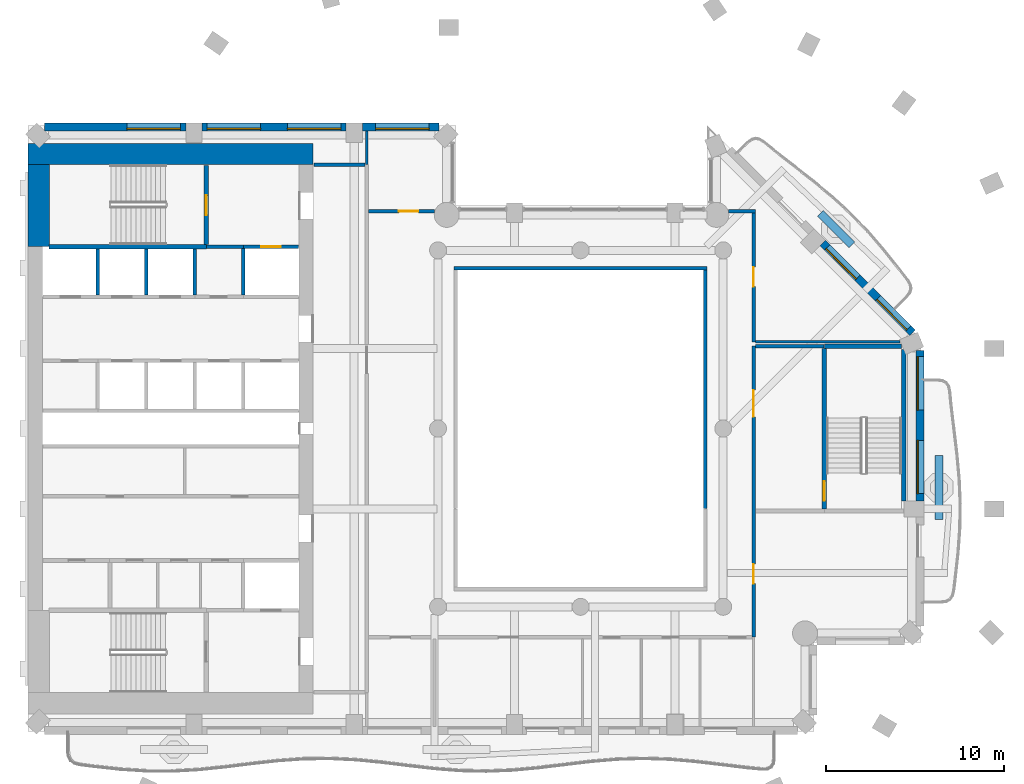
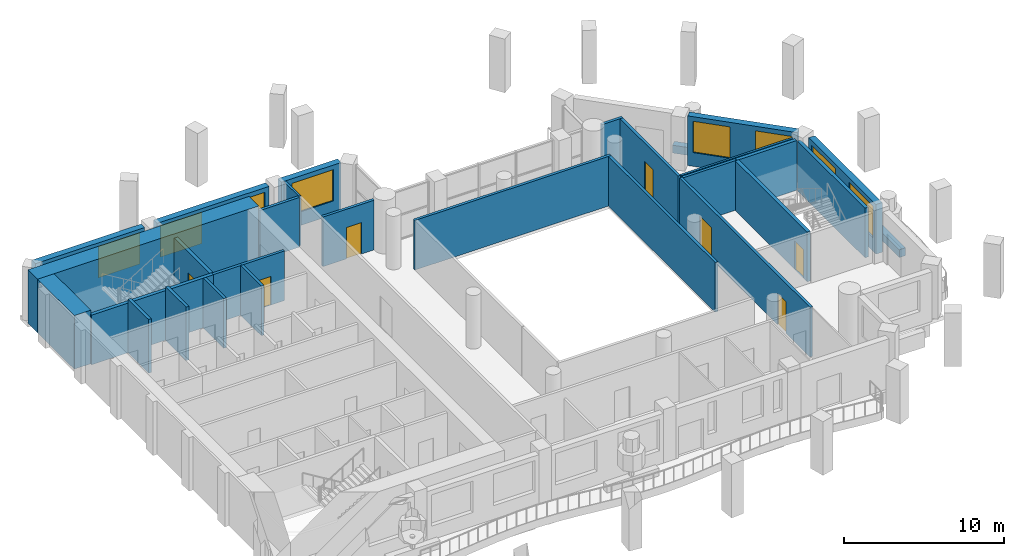
# One storey, part 6 of 15: 30 walls, 8 windows, 7 doors, 15 openings.
"""IFC4 building model written with IfcOpenShell, lengths in metres."""

from ifc_helpers import new_model, si_unit, direction, frame, frame_2d, origin, place, context, subcontext, project, spatial, rectangle, extrude, material, layer, layer_set, type_object, element, fill, save


model = new_model("IFC4")

# Units and contexts
model_context = context("Model", 3, precision=1e-05, world=origin(), true_north=direction((0.0, 1.0)))
body_context = subcontext(model_context, "Body", "Model", "MODEL_VIEW")
ifc_project = project(units=[si_unit("LENGTHUNIT", "METRE"), si_unit("AREAUNIT", "SQUARE_METRE"), si_unit("VOLUMEUNIT", "CUBIC_METRE"), si_unit("PLANEANGLEUNIT", "RADIAN"), si_unit("MASSUNIT", "GRAM", prefix="KILO")], contexts=[model_context])

# Site, building, storey
site_placement = place(None, origin())
site = spatial("IfcSite", under=ifc_project, at=site_placement, CompositionType="ELEMENT")
building_placement = place(site_placement, origin())
building = spatial("IfcBuilding", under=site, at=building_placement, Name="Cypress Arch Tower", CompositionType="ELEMENT")
storey_placement = place(building_placement, frame((0.0, 0.0, 213.800048828125)))
storey = spatial("IfcBuildingStorey", under=building, at=storey_placement, Name="L47", CompositionType="ELEMENT", Elevation=213.800048828125)

# Walls
ifc_material_1 = material(Name="Concrete C40/50, waterproofed", Category="concrete")
ifc_layer_1 = layer(ifc_material_1, 0.449951171875)
ifc_layer_set_1 = layer_set([ifc_layer_1], Name="Balcony planter wall PW450")
wall_type_1 = type_object("IfcWallType", Name="Balcony planter wall PW450", PredefinedType="SOLIDWALL", material=ifc_layer_set_1)
wall_1_placement = place(storey_placement, frame((21.10009765625, -5.10009765625, 0.0), z_axis=(0.0, 0.0, 1.0), x_axis=(0.0, 1.0, 0.0)))
element("IfcWall", 1, at=wall_1_placement, inside=storey, type_object=wall_type_1, Name="Balcony planter wall L47-B04.1", PredefinedType="SOLIDWALL", context=body_context, shape_type="SweptSolid", body=[
    extrude(rectangle(XDim=3.58349609375, YDim=0.449951171875, at=frame_2d((1.791748046875, 0.0))), origin(), (0.0, 0.0, 1.0), 0.599853515625),
])
wall_2_placement = place(storey_placement, frame((16.2060546875, 10.30810546875, 0.0), z_axis=(0.0, 0.0, 1.0), x_axis=(-0.707057827829, 0.707155731156, 0.0)))
element("IfcWall", 2, at=wall_2_placement, inside=storey, type_object=wall_type_1, Name="Balcony planter wall L47-B05.1", PredefinedType="SOLIDWALL", context=body_context, shape_type="SweptSolid", body=[
    extrude(rectangle(XDim=2.49365234375, YDim=0.449951171875, at=frame_2d((1.246826171875, 0.0))), origin(), (0.0, 0.0, 1.0), 0.599853515625),
])

# Wall, openings, windows
ifc_material_2 = material(Name="Brick (red buff blend)", Category="masonry")
ifc_layer_2 = layer(ifc_material_2, 0.449951171875)
ifc_layer_set_2 = layer_set([ifc_layer_2], Name="Brick pier and spandrel wall BW450")
wall_type_2 = type_object("IfcWallType", Name="Brick pier and spandrel wall BW450", PredefinedType="SOLIDWALL", material=ifc_layer_set_2)
wall_3_placement = place(storey_placement, frame((20.02490234375, -4.050048828125, 0.0), z_axis=(0.0, 0.0, 1.0), x_axis=(0.0, 1.0, 0.0)))
wall_3 = element("IfcWall", 3, at=wall_3_placement, inside=storey, type_object=wall_type_2, Name="Brick wall L47 B04.1", PredefinedType="SOLIDWALL", context=body_context, shape_type="SweptSolid", body=[
    extrude(rectangle(XDim=8.438720703125, YDim=0.449951171875, at=frame_2d((4.21923828125, 0.0))), origin(), (0.0, 0.0, 1.0), 3.800048828125),
])
opening_1_placement = place(wall_3_placement, frame((0.39404296875, 0.0, 1.050048828125)))
opening_1 = element("IfcOpeningElement", 4, at=opening_1_placement, cuts=wall_3, Name="Opening W300OD", PredefinedType="OPENING", context=body_context, shape_type="SweptSolid", body=[
    extrude(rectangle(XDim=3.0, YDim=2.39990234375, at=frame_2d((1.5, 1.199951171875))), frame((0.0, 0.23486328125, 0.0), z_axis=(0.0, -1.0, 0.0), x_axis=(1.0, 0.0, 0.0)), (0.0, 0.0, 1.0), 0.469970703125),
])
opening_2_placement = place(wall_3_placement, frame((5.081787109375, 0.0, 1.050048828125)))
opening_2 = element("IfcOpeningElement", 5, at=opening_2_placement, cuts=wall_3, Name="Opening W300OD", PredefinedType="OPENING", context=body_context, shape_type="SweptSolid", body=[
    extrude(rectangle(XDim=3.0, YDim=2.39990234375, at=frame_2d((1.5, 1.199951171875))), frame((0.0, 0.23486328125, 0.0), z_axis=(0.0, -1.0, 0.0), x_axis=(1.0, 0.0, 0.0)), (0.0, 0.0, 1.0), 0.469970703125),
])
ifc_material_3 = material(Name="Anodised aluminium, bronze finish, laminated low-emissivity double glazing, large-missile impact rated", Category="aluminium")
window_type_1 = type_object("IfcWindowType", Name="Window Office 3000x2400 debris-rated", PartitioningType="SINGLE_PANEL", PredefinedType="WINDOW", material=ifc_material_3)
window_1_placement = place(opening_1_placement, origin())
window_1 = element("IfcWindow", 6, at=window_1_placement, inside=storey, type_object=window_type_1, Name="Window L47 B04.1.1", OverallHeight=2.39990234375, OverallWidth=3.0, PartitioningType="SINGLE_PANEL", PredefinedType="WINDOW", context=body_context, shape_type="SweptSolid", body=[
    extrude(rectangle(XDim=3.0, YDim=2.39990234375, at=frame_2d((1.5, 1.199951171875))), frame((0.0, 0.135009765625, 0.0), z_axis=(0.0, -1.0, 0.0), x_axis=(1.0, 0.0, 0.0)), (0.0, 0.0, 1.0), 0.06005859375),
])
fill(opening_1, window_1)
window_2_placement = place(opening_2_placement, origin())
window_2 = element("IfcWindow", 7, at=window_2_placement, inside=storey, type_object=window_type_1, Name="Window L47 B04.1.2", OverallHeight=2.39990234375, OverallWidth=3.0, PartitioningType="SINGLE_PANEL", PredefinedType="WINDOW", context=body_context, shape_type="SweptSolid", body=[
    extrude(rectangle(XDim=3.0, YDim=2.39990234375, at=frame_2d((1.5, 1.199951171875))), frame((0.0, 0.135009765625, 0.0), z_axis=(0.0, -1.0, 0.0), x_axis=(1.0, 0.0, 0.0)), (0.0, 0.0, 1.0), 0.06005859375),
])
fill(opening_2, window_2)

wall_4_placement = place(storey_placement, frame((19.61474609375, 5.379150390625, 0.0), z_axis=(0.0, 0.0, 1.0), x_axis=(-0.707089646058, 0.7071239159, 0.0)))
wall_4 = element("IfcWall", 8, at=wall_4_placement, inside=storey, type_object=wall_type_2, Name="Brick wall L47 B05.0", PredefinedType="SOLIDWALL", context=body_context, shape_type="SweptSolid", body=[
    extrude(rectangle(XDim=7.1240234375, YDim=0.449951171875, at=frame_2d((3.56201171875, 0.0))), origin(), (0.0, 0.0, 1.0), 3.800048828125),
])
opening_3_placement = place(wall_4_placement, frame((0.328125, 0.0, 1.050048828125)))
opening_3 = element("IfcOpeningElement", 9, at=opening_3_placement, cuts=wall_4, Name="Opening W240OD", PredefinedType="OPENING", context=body_context, shape_type="SweptSolid", body=[
    extrude(rectangle(XDim=2.39990234375, YDim=2.39990234375, at=frame_2d((1.199951171875, 1.199951171875))), frame((0.0, 0.23486328125, 0.0), z_axis=(0.0, -1.0, 0.0), x_axis=(1.0, 0.0, 0.0)), (0.0, 0.0, 1.0), 0.469970703125),
])
opening_4_placement = place(wall_4_placement, frame((4.358642578125, 0.0, 1.050048828125)))
opening_4 = element("IfcOpeningElement", 10, at=opening_4_placement, cuts=wall_4, Name="Opening W240OD", PredefinedType="OPENING", context=body_context, shape_type="SweptSolid", body=[
    extrude(rectangle(XDim=2.39990234375, YDim=2.39990234375, at=frame_2d((1.199951171875, 1.199951171875))), frame((0.0, 0.23486328125, 0.0), z_axis=(0.0, -1.0, 0.0), x_axis=(1.0, 0.0, 0.0)), (0.0, 0.0, 1.0), 0.469970703125),
])
ifc_material_4 = material(Name="Anodised aluminium, bronze finish, laminated low-emissivity double glazing, large-missile impact rated", Category="aluminium")
window_type_2 = type_object("IfcWindowType", Name="Window Office 2400x2400 debris-rated", PartitioningType="SINGLE_PANEL", PredefinedType="WINDOW", material=ifc_material_4)
window_3_placement = place(opening_3_placement, origin())
window_3 = element("IfcWindow", 11, at=window_3_placement, inside=storey, type_object=window_type_2, Name="Window L47 B05.0.1", OverallHeight=2.39990234375, OverallWidth=2.39990234375, PartitioningType="SINGLE_PANEL", PredefinedType="WINDOW", context=body_context, shape_type="SweptSolid", body=[
    extrude(rectangle(XDim=2.39990234375, YDim=2.39990234375, at=frame_2d((1.199951171875, 1.199951171875))), frame((0.0, 0.135009765625, 0.0), z_axis=(0.0, -1.0, 0.0), x_axis=(1.0, 0.0, 0.0)), (0.0, 0.0, 1.0), 0.06005859375),
])
fill(opening_3, window_3)
window_4_placement = place(opening_4_placement, origin())
window_4 = element("IfcWindow", 12, at=window_4_placement, inside=storey, type_object=window_type_2, Name="Window L47 B05.0.2", OverallHeight=2.39990234375, OverallWidth=2.39990234375, PartitioningType="SINGLE_PANEL", PredefinedType="WINDOW", context=body_context, shape_type="SweptSolid", body=[
    extrude(rectangle(XDim=2.39990234375, YDim=2.39990234375, at=frame_2d((1.199951171875, 1.199951171875))), frame((0.0, 0.135009765625, 0.0), z_axis=(0.0, -1.0, 0.0), x_axis=(1.0, 0.0, 0.0)), (0.0, 0.0, 1.0), 0.06005859375),
])
fill(opening_4, window_4)

# Wall, opening, window
wall_5_placement = place(storey_placement, frame((-6.936279296875, 16.925048828125, 0.0), z_axis=(0.0, 0.0, 1.0), x_axis=(-1.0, 0.0, 0.0)))
wall_5 = element("IfcWall", 13, at=wall_5_placement, inside=storey, type_object=wall_type_2, Name="Brick wall L47 B09.0", PredefinedType="SOLIDWALL", context=body_context, shape_type="SweptSolid", body=[
    extrude(rectangle(XDim=4.313720703125, YDim=0.449951171875, at=frame_2d((2.15673828125, 0.0))), origin(), (0.0, 0.0, 1.0), 3.800048828125),
])
opening_5_placement = place(wall_5_placement, frame((0.563720703125, 0.0, 1.050048828125)))
opening_5 = element("IfcOpeningElement", 14, at=opening_5_placement, cuts=wall_5, Name="Opening W300O", PredefinedType="OPENING", context=body_context, shape_type="SweptSolid", body=[
    extrude(rectangle(XDim=3.0, YDim=2.39990234375, at=frame_2d((1.5, 1.199951171875))), frame((0.0, 0.23486328125, 0.0), z_axis=(0.0, -1.0, 0.0), x_axis=(1.0, 0.0, 0.0)), (0.0, 0.0, 1.0), 0.469970703125),
])
ifc_material_5 = material(Name="Anodised aluminium, bronze finish, clear low-emissivity double glazing", Category="aluminium")
window_type_3 = type_object("IfcWindowType", Name="Window Office 3000x2400", PartitioningType="SINGLE_PANEL", PredefinedType="WINDOW", material=ifc_material_5)
window_5_placement = place(opening_5_placement, origin())
window_5 = element("IfcWindow", 15, at=window_5_placement, inside=storey, type_object=window_type_3, Name="Window L47 B09.0.1", OverallHeight=2.39990234375, OverallWidth=3.0, PartitioningType="SINGLE_PANEL", PredefinedType="WINDOW", context=body_context, shape_type="SweptSolid", body=[
    extrude(rectangle(XDim=3.0, YDim=2.39990234375, at=frame_2d((1.5, 1.199951171875))), frame((0.0, 0.135009765625, 0.0), z_axis=(0.0, -1.0, 0.0), x_axis=(1.0, 0.0, 0.0)), (0.0, 0.0, 1.0), 0.06005859375),
])
fill(opening_5, window_5)

# Wall, openings, windows
wall_6_placement = place(storey_placement, frame((-12.14990234375, 16.925048828125, 0.0), z_axis=(0.0, 0.0, 1.0), x_axis=(-1.0, 0.0, 0.0)))
wall_6 = element("IfcWall", 16, at=wall_6_placement, inside=storey, type_object=wall_type_2, Name="Brick wall L47 B09.1", PredefinedType="SOLIDWALL", context=body_context, shape_type="SweptSolid", body=[
    extrude(rectangle(XDim=8.10009765625, YDim=0.449951171875, at=frame_2d((4.050048828125, 0.0))), origin(), (0.0, 0.0, 1.0), 3.800048828125),
])
opening_6_placement = place(wall_6_placement, frame((0.300048828125, 0.0, 1.050048828125)))
opening_6 = element("IfcOpeningElement", 17, at=opening_6_placement, cuts=wall_6, Name="Opening W300O", PredefinedType="OPENING", context=body_context, shape_type="SweptSolid", body=[
    extrude(rectangle(XDim=3.0, YDim=2.39990234375, at=frame_2d((1.5, 1.199951171875))), frame((0.0, 0.23486328125, 0.0), z_axis=(0.0, -1.0, 0.0), x_axis=(1.0, 0.0, 0.0)), (0.0, 0.0, 1.0), 0.469970703125),
])
opening_7_placement = place(wall_6_placement, frame((4.800048828125, 0.0, 1.050048828125)))
opening_7 = element("IfcOpeningElement", 18, at=opening_7_placement, cuts=wall_6, Name="Opening W300O", PredefinedType="OPENING", context=body_context, shape_type="SweptSolid", body=[
    extrude(rectangle(XDim=3.0, YDim=2.39990234375, at=frame_2d((1.5, 1.199951171875))), frame((0.0, 0.23486328125, 0.0), z_axis=(0.0, -1.0, 0.0), x_axis=(1.0, 0.0, 0.0)), (0.0, 0.0, 1.0), 0.469970703125),
])
window_6_placement = place(opening_6_placement, origin())
window_6 = element("IfcWindow", 19, at=window_6_placement, inside=storey, type_object=window_type_3, Name="Window L47 B09.1.1", OverallHeight=2.39990234375, OverallWidth=3.0, PartitioningType="SINGLE_PANEL", PredefinedType="WINDOW", context=body_context, shape_type="SweptSolid", body=[
    extrude(rectangle(XDim=3.0, YDim=2.39990234375, at=frame_2d((1.5, 1.199951171875))), frame((0.0, 0.135009765625, 0.0), z_axis=(0.0, -1.0, 0.0), x_axis=(1.0, 0.0, 0.0)), (0.0, 0.0, 1.0), 0.06005859375),
])
fill(opening_6, window_6)
window_7_placement = place(opening_7_placement, origin())
window_7 = element("IfcWindow", 20, at=window_7_placement, inside=storey, type_object=window_type_3, Name="Window L47 B09.1.2", OverallHeight=2.39990234375, OverallWidth=3.0, PartitioningType="SINGLE_PANEL", PredefinedType="WINDOW", context=body_context, shape_type="SweptSolid", body=[
    extrude(rectangle(XDim=3.0, YDim=2.39990234375, at=frame_2d((1.5, 1.199951171875))), frame((0.0, 0.135009765625, 0.0), z_axis=(0.0, -1.0, 0.0), x_axis=(1.0, 0.0, 0.0)), (0.0, 0.0, 1.0), 0.06005859375),
])
fill(opening_7, window_7)

# Wall, opening, window
wall_7_placement = place(storey_placement, frame((-21.14990234375, 16.925048828125, 0.0), z_axis=(0.0, 0.0, 1.0), x_axis=(-1.0, 0.0, 0.0)))
wall_7 = element("IfcWall", 21, at=wall_7_placement, inside=storey, type_object=wall_type_2, Name="Brick wall L47 B09.2", PredefinedType="SOLIDWALL", context=body_context, shape_type="SweptSolid", body=[
    extrude(rectangle(XDim=7.913818359375, YDim=0.449951171875, at=frame_2d((3.95703125, 0.0))), origin(), (0.0, 0.0, 1.0), 3.800048828125),
])
opening_8_placement = place(wall_7_placement, frame((0.300048828125, 0.0, 1.050048828125)))
opening_8 = element("IfcOpeningElement", 22, at=opening_8_placement, cuts=wall_7, Name="Opening W300O", PredefinedType="OPENING", context=body_context, shape_type="SweptSolid", body=[
    extrude(rectangle(XDim=3.0, YDim=2.39990234375, at=frame_2d((1.5, 1.199951171875))), frame((0.0, 0.23486328125, 0.0), z_axis=(0.0, -1.0, 0.0), x_axis=(1.0, 0.0, 0.0)), (0.0, 0.0, 1.0), 0.469970703125),
])
window_8_placement = place(opening_8_placement, origin())
window_8 = element("IfcWindow", 23, at=window_8_placement, inside=storey, type_object=window_type_3, Name="Window L47 B09.2.1", OverallHeight=2.39990234375, OverallWidth=3.0, PartitioningType="SINGLE_PANEL", PredefinedType="WINDOW", context=body_context, shape_type="SweptSolid", body=[
    extrude(rectangle(XDim=3.0, YDim=2.39990234375, at=frame_2d((1.5, 1.199951171875))), frame((0.0, 0.135009765625, 0.0), z_axis=(0.0, -1.0, 0.0), x_axis=(1.0, 0.0, 0.0)), (0.0, 0.0, 1.0), 0.06005859375),
])
fill(opening_8, window_8)

# Walls
ifc_material_6 = material(Name="Concrete C70/85", Category="concrete")
ifc_layer_3 = layer(ifc_material_6, 1.199951171875)
ifc_layer_set_3 = layer_set([ifc_layer_3], Name="Core wall CW1200 C70/85")
wall_type_3 = type_object("IfcWallType", Name="Core wall CW1200 C70/85", PredefinedType="SHEAR", material=ifc_layer_set_3)
wall_8_placement = place(storey_placement, frame((-30.0, 15.39990234375, 0.0), z_axis=(0.0, 0.0, 1.0), x_axis=(1.0, 0.0, 0.0)))
element("IfcWall", 24, at=wall_8_placement, inside=storey, type_object=wall_type_3, Name="Core wall", PredefinedType="SHEAR", context=body_context, shape_type="SweptSolid", body=[
    extrude(rectangle(XDim=16.0, YDim=1.199951171875, at=frame_2d((8.0, 0.0))), origin(), (0.0, 0.0, 1.0), 4.099853515625),
])
wall_9_placement = place(storey_placement, frame((-29.39990234375, 10.199951171875, 0.0), z_axis=(0.0, 0.0, 1.0), x_axis=(0.0, 1.0, 0.0)))
element("IfcWall", 25, at=wall_9_placement, inside=storey, type_object=wall_type_3, Name="Core wall", PredefinedType="SHEAR", context=body_context, shape_type="SweptSolid", body=[
    extrude(rectangle(XDim=4.60009765625, YDim=1.199951171875, at=frame_2d((2.300048828125, 0.0))), origin(), (0.0, 0.0, 1.0), 4.099853515625),
])
ifc_material_7 = material(Name="Concrete blockwork, plastered, rated", Category="masonry")
ifc_layer_4 = layer(ifc_material_7, 0.199951171875)
ifc_layer_set_4 = layer_set([ifc_layer_4], Name="Corridor wall FW200")
wall_type_4 = type_object("IfcWallType", Name="Corridor wall FW200", PredefinedType="PARTITIONING", material=ifc_layer_set_4)
wall_10_placement = place(storey_placement, frame((-20.0, 10.199951171875, 0.0), z_axis=(0.0, 0.0, 1.0), x_axis=(1.0, 0.0, 0.0)))
element("IfcWall", 26, at=wall_10_placement, inside=storey, type_object=wall_type_4, Name="Corridor wall", PredefinedType="PARTITIONING", context=body_context, shape_type="SweptSolid", body=[
    extrude(rectangle(XDim=2.080078125, YDim=0.199951171875, at=frame_2d((1.0400390625, 0.0))), origin(), (0.0, 0.0, 1.0), 3.800048828125),
])
wall_11_placement = place(storey_placement, frame((-13.969970703125, 14.800048828125, 0.0), z_axis=(0.0, 0.0, 1.0), x_axis=(1.0, 0.0, 0.0)))
element("IfcWall", 27, at=wall_11_placement, inside=storey, type_object=wall_type_4, Name="Corridor wall", PredefinedType="PARTITIONING", context=body_context, shape_type="SweptSolid", body=[
    extrude(rectangle(XDim=2.869873046875, YDim=0.199951171875, at=frame_2d((1.43505859375, 0.0))), origin(), (0.0, 0.0, 1.0), 3.800048828125),
])

# Wall, opening, door
wall_12_placement = place(storey_placement, frame((-10.89990234375, 12.199951171875, 0.0), z_axis=(0.0, 0.0, 1.0), x_axis=(1.0, 0.0, 0.0)))
wall_12 = element("IfcWall", 28, at=wall_12_placement, inside=storey, type_object=wall_type_4, Name="Corridor wall", PredefinedType="PARTITIONING", context=body_context, shape_type="SweptSolid", body=[
    extrude(rectangle(XDim=3.7041015625, YDim=0.199951171875, at=frame_2d((1.85205078125, 0.0))), origin(), (0.0, 0.0, 1.0), 3.800048828125),
])
opening_9_placement = place(wall_12_placement, frame((1.699951171875, 0.0, 0.0)))
opening_9 = element("IfcOpeningElement", 29, at=opening_9_placement, cuts=wall_12, Name="Opening D01", PredefinedType="OPENING", context=body_context, shape_type="SweptSolid", body=[
    extrude(rectangle(XDim=1.10009765625, YDim=2.39990234375, at=frame_2d((0.550048828125, 1.199951171875))), frame((0.0, 0.10986328125, 0.0), z_axis=(0.0, -1.0, 0.0), x_axis=(1.0, 0.0, 0.0)), (0.0, 0.0, 1.0), 0.219970703125),
])
ifc_material_8 = material(Name="Timber flush door, fire resisting, self-closing", Category="wood")
door_type_1 = type_object("IfcDoorType", Name="Unit entrance door D01 1100x2400", OperationType="SINGLE_SWING_LEFT", PredefinedType="DOOR", material=ifc_material_8)
door_1_placement = place(opening_9_placement, origin())
door_1 = element("IfcDoor", 30, at=door_1_placement, inside=storey, type_object=door_type_1, Name="Unit entrance door", OperationType="SINGLE_SWING_RIGHT", OverallHeight=2.39990234375, OverallWidth=1.10009765625, PredefinedType="DOOR", context=body_context, shape_type="SweptSolid", body=[
    extrude(rectangle(XDim=1.10009765625, YDim=2.39990234375, at=frame_2d((0.550048828125, 1.199951171875))), frame((0.0, 0.02490234375, 0.0), z_axis=(0.0, -1.0, 0.0), x_axis=(1.0, 0.0, 0.0)), (0.0, 0.0, 1.0), 0.050048828125),
])
fill(opening_9, door_1)

# Walls
wall_13_placement = place(storey_placement, frame((-6.10009765625, 9.0, 0.0), z_axis=(0.0, 0.0, 1.0), x_axis=(1.0, 0.0, 0.0)))
element("IfcWall", 31, at=wall_13_placement, inside=storey, type_object=wall_type_4, Name="Corridor wall", PredefinedType="PARTITIONING", context=body_context, shape_type="SweptSolid", body=[
    extrude(rectangle(XDim=14.2001953125, YDim=0.199951171875, at=frame_2d((7.10009765625, 0.0))), origin(), (0.0, 0.0, 1.0), 3.800048828125),
])
wall_14_placement = place(storey_placement, frame((8.0, -4.47998046875, 0.0), z_axis=(0.0, 0.0, 1.0), x_axis=(0.0, 1.0, 0.0)))
element("IfcWall", 32, at=wall_14_placement, inside=storey, type_object=wall_type_4, Name="Corridor wall", PredefinedType="PARTITIONING", context=body_context, shape_type="SweptSolid", body=[
    extrude(rectangle(XDim=13.3798828125, YDim=0.199951171875, at=frame_2d((6.68994140625, 0.0))), origin(), (0.0, 0.0, 1.0), 3.800048828125),
])
wall_15_placement = place(storey_placement, frame((9.295654296875, 12.199951171875, 0.0), z_axis=(0.0, 0.0, 1.0), x_axis=(1.0, 0.0, 0.0)))
element("IfcWall", 33, at=wall_15_placement, inside=storey, type_object=wall_type_4, Name="Corridor wall", PredefinedType="PARTITIONING", context=body_context, shape_type="SweptSolid", body=[
    extrude(rectangle(XDim=1.50439453125, YDim=0.199951171875, at=frame_2d((0.752197265625, 0.0))), origin(), (0.0, 0.0, 1.0), 3.800048828125),
])

# Wall, openings, doors
wall_16_placement = place(storey_placement, frame((10.699951171875, -11.699951171875, 0.0), z_axis=(0.0, 0.0, 1.0), x_axis=(0.0, 1.0, 0.0)))
wall_16 = element("IfcWall", 34, at=wall_16_placement, inside=storey, type_object=wall_type_4, Name="Corridor wall", PredefinedType="PARTITIONING", context=body_context, shape_type="SweptSolid", body=[
    extrude(rectangle(XDim=16.344970703125, YDim=0.199951171875, at=frame_2d((8.17236328125, 0.0))), origin(), (0.0, 0.0, 1.0), 3.800048828125),
])
opening_10_placement = place(wall_16_placement, frame((12.35009765625, 0.0, 0.0)))
opening_10 = element("IfcOpeningElement", 35, at=opening_10_placement, cuts=wall_16, Name="Opening D07", PredefinedType="OPENING", context=body_context, shape_type="SweptSolid", body=[
    extrude(rectangle(XDim=1.5, YDim=2.39990234375, at=frame_2d((0.75, 1.199951171875))), frame((0.0, 0.10986328125, 0.0), z_axis=(0.0, -1.0, 0.0), x_axis=(1.0, 0.0, 0.0)), (0.0, 0.0, 1.0), 0.219970703125),
])
opening_11_placement = place(wall_16_placement, frame((3.0, 0.0, 0.0)))
opening_11 = element("IfcOpeningElement", 36, at=opening_11_placement, cuts=wall_16, Name="Opening D01", PredefinedType="OPENING", context=body_context, shape_type="SweptSolid", body=[
    extrude(rectangle(XDim=1.10009765625, YDim=2.39990234375, at=frame_2d((0.550048828125, 1.199951171875))), frame((0.0, 0.10986328125, 0.0), z_axis=(0.0, -1.0, 0.0), x_axis=(1.0, 0.0, 0.0)), (0.0, 0.0, 1.0), 0.219970703125),
])
ifc_material_9 = material(Name="Steel framed glazed door, fire resisting", Category="steel")
door_type_2 = type_object("IfcDoorType", Name="Lobby door D07 1500x2400", OperationType="DOUBLE_DOOR_SINGLE_SWING", PredefinedType="DOOR", material=ifc_material_9)
door_2_placement = place(opening_10_placement, origin())
door_2 = element("IfcDoor", 37, at=door_2_placement, inside=storey, type_object=door_type_2, Name="Lobby door", OperationType="DOUBLE_DOOR_SINGLE_SWING", OverallHeight=2.39990234375, OverallWidth=1.5, PredefinedType="DOOR", context=body_context, shape_type="SweptSolid", body=[
    extrude(rectangle(XDim=1.5, YDim=2.39990234375, at=frame_2d((0.75, 1.199951171875))), frame((0.0, 0.02490234375, 0.0), z_axis=(0.0, -1.0, 0.0), x_axis=(1.0, 0.0, 0.0)), (0.0, 0.0, 1.0), 0.050048828125),
])
fill(opening_10, door_2)
door_3_placement = place(opening_11_placement, origin())
door_3 = element("IfcDoor", 38, at=door_3_placement, inside=storey, type_object=door_type_1, Name="Unit entrance door", OperationType="SINGLE_SWING_LEFT", OverallHeight=2.39990234375, OverallWidth=1.10009765625, PredefinedType="DOOR", context=body_context, shape_type="SweptSolid", body=[
    extrude(rectangle(XDim=1.10009765625, YDim=2.39990234375, at=frame_2d((0.550048828125, 1.199951171875))), frame((0.0, 0.02490234375, 0.0), z_axis=(0.0, -1.0, 0.0), x_axis=(1.0, 0.0, 0.0)), (0.0, 0.0, 1.0), 0.050048828125),
])
fill(opening_11, door_3)

# Wall, opening, door
wall_17_placement = place(storey_placement, frame((10.699951171875, 4.85595703125, 0.0), z_axis=(0.0, 0.0, 1.0), x_axis=(0.0, 1.0, 0.0)))
wall_17 = element("IfcWall", 39, at=wall_17_placement, inside=storey, type_object=wall_type_4, Name="Corridor wall", PredefinedType="PARTITIONING", context=body_context, shape_type="SweptSolid", body=[
    extrude(rectangle(XDim=7.244140625, YDim=0.199951171875, at=frame_2d((3.6220703125, 0.0))), origin(), (0.0, 0.0, 1.0), 3.800048828125),
])
opening_12_placement = place(wall_17_placement, frame((3.10009765625, 0.0, 0.0)))
opening_12 = element("IfcOpeningElement", 40, at=opening_12_placement, cuts=wall_17, Name="Opening D01", PredefinedType="OPENING", context=body_context, shape_type="SweptSolid", body=[
    extrude(rectangle(XDim=1.10009765625, YDim=2.39990234375, at=frame_2d((0.550048828125, 1.199951171875))), frame((0.0, 0.10986328125, 0.0), z_axis=(0.0, -1.0, 0.0), x_axis=(1.0, 0.0, 0.0)), (0.0, 0.0, 1.0), 0.219970703125),
])
door_4_placement = place(opening_12_placement, origin())
door_4 = element("IfcDoor", 41, at=door_4_placement, inside=storey, type_object=door_type_1, Name="Unit entrance door", OperationType="SINGLE_SWING_LEFT", OverallHeight=2.39990234375, OverallWidth=1.10009765625, PredefinedType="DOOR", context=body_context, shape_type="SweptSolid", body=[
    extrude(rectangle(XDim=1.10009765625, YDim=2.39990234375, at=frame_2d((0.550048828125, 1.199951171875))), frame((0.0, 0.02490234375, 0.0), z_axis=(0.0, -1.0, 0.0), x_axis=(1.0, 0.0, 0.0)), (0.0, 0.0, 1.0), 0.050048828125),
])
fill(opening_12, door_4)

# Walls
wall_18_placement = place(storey_placement, frame((10.820068359375, 4.625, 0.0), z_axis=(0.0, 0.0, 1.0), x_axis=(1.0, 0.0, 0.0)))
element("IfcWall", 42, at=wall_18_placement, inside=storey, type_object=wall_type_4, Name="Corridor wall", PredefinedType="PARTITIONING", context=body_context, shape_type="SweptSolid", body=[
    extrude(rectangle(XDim=3.8349609375, YDim=0.199951171875, at=frame_2d((1.91748046875, 0.0))), origin(), (0.0, 0.0, 1.0), 3.800048828125),
])
ifc_material_10 = material(Name="Blockwork, plastered both sides", Category="masonry")
ifc_layer_5 = layer(ifc_material_10, 0.14990234375)
ifc_layer_set_5 = layer_set([ifc_layer_5], Name="Partition PW150")
wall_type_5 = type_object("IfcWallType", Name="Partition PW150", PredefinedType="PARTITIONING", material=ifc_layer_set_5)
wall_19_placement = place(storey_placement, frame((-11.0, 14.820068359375, 0.0), z_axis=(0.0, 0.0, 1.0), x_axis=(0.0, 1.0, 0.0)))
element("IfcWall", 43, at=wall_19_placement, inside=storey, type_object=wall_type_5, Name="Partition", PredefinedType="PARTITIONING", context=body_context, shape_type="SweptSolid", body=[
    extrude(rectangle(XDim=1.8798828125, YDim=0.14990234375, at=frame_2d((0.93994140625, 0.0))), origin(), (0.0, 0.0, 1.0), 3.800048828125),
])
wall_20_placement = place(storey_placement, frame((10.820068359375, 4.8759765625, 0.0), z_axis=(0.0, 0.0, 1.0), x_axis=(1.0, 0.0, 0.0)))
element("IfcWall", 44, at=wall_20_placement, inside=storey, type_object=wall_type_5, Name="Partition", PredefinedType="PARTITIONING", context=body_context, shape_type="SweptSolid", body=[
    extrude(rectangle(XDim=8.0947265625, YDim=0.14990234375, at=frame_2d((4.04736328125, 0.0))), origin(), (0.0, 0.0, 1.0), 3.800048828125),
])
ifc_material_11 = material(Name="Concrete C50/60", Category="concrete")
ifc_layer_6 = layer(ifc_material_11, 0.199951171875)
ifc_layer_set_6 = layer_set([ifc_layer_6], Name="Shaft wall SH200")
wall_type_6 = type_object("IfcWallType", Name="Shaft wall SH200", PredefinedType="SHEAR", material=ifc_layer_set_6)
for number, where, z_axis, x_axis, name in (
    (45, (-26.080078125, 7.5, 0.0), (0.0, 0.0, 1.0), (0.0, 1.0, 0.0), "Shaft wall"),
    (46, (-23.360107421875, 7.5, 0.0), (0.0, 0.0, 1.0), (0.0, 1.0, 0.0), "Shaft wall"),
):
    element("IfcWall", number, at=place(storey_placement, frame(where, z_axis=z_axis, x_axis=x_axis)), inside=storey, type_object=wall_type_6, Name=name, PredefinedType="SHEAR", context=body_context, shape_type="SweptSolid", body=[
        extrude(rectangle(XDim=2.574951171875, YDim=0.199951171875, at=frame_2d((1.28759765625, 0.0))), origin(), (0.0, 0.0, 1.0), 4.099853515625),
    ])
wall_21_placement = place(storey_placement, frame((-20.639892578125, 7.5, 0.0), z_axis=(0.0, 0.0, 1.0), x_axis=(0.0, 1.0, 0.0)))
element("IfcWall", 47, at=wall_21_placement, inside=storey, type_object=wall_type_6, Name="Shaft wall", PredefinedType="SHEAR", context=body_context, shape_type="SweptSolid", body=[
    extrude(rectangle(XDim=2.574951171875, YDim=0.199951171875, at=frame_2d((1.28759765625, 0.0))), origin(), (0.0, 0.0, 1.0), 3.800048828125),
])
wall_22_placement = place(storey_placement, frame((-17.919921875, 7.5, 0.0), z_axis=(0.0, 0.0, 1.0), x_axis=(0.0, 1.0, 0.0)))
element("IfcWall", 48, at=wall_22_placement, inside=storey, type_object=wall_type_6, Name="Shaft wall", PredefinedType="SHEAR", context=body_context, shape_type="SweptSolid", body=[
    extrude(rectangle(XDim=2.60009765625, YDim=0.199951171875, at=frame_2d((1.300048828125, 0.0))), origin(), (0.0, 0.0, 1.0), 3.800048828125),
])

# Wall, opening, door
wall_23_placement = place(storey_placement, frame((-17.919921875, 10.199951171875, 0.0), z_axis=(0.0, 0.0, 1.0), x_axis=(1.0, 0.0, 0.0)))
wall_23 = element("IfcWall", 49, at=wall_23_placement, inside=storey, type_object=wall_type_6, Name="Shaft wall", PredefinedType="SHEAR", context=body_context, shape_type="SweptSolid", body=[
    extrude(rectangle(XDim=3.08984375, YDim=0.199951171875, at=frame_2d((1.544921875, 0.0))), origin(), (0.0, 0.0, 1.0), 3.800048828125),
])
opening_13_placement = place(wall_23_placement, frame((1.0, 0.0, 0.0)))
opening_13 = element("IfcOpeningElement", 50, at=opening_13_placement, cuts=wall_23, Name="Opening LD-FL2", PredefinedType="OPENING", context=body_context, shape_type="SweptSolid", body=[
    extrude(rectangle(XDim=1.10009765625, YDim=2.199951171875, at=frame_2d((0.550048828125, 1.10009765625))), frame((0.0, 0.10986328125, 0.0), z_axis=(0.0, -1.0, 0.0), x_axis=(1.0, 0.0, 0.0)), (0.0, 0.0, 1.0), 0.219970703125),
])
ifc_material_12 = material(Name="Stainless steel centre-opening landing door, rated", Category="steel")
door_type_3 = type_object("IfcDoorType", Name="Lift landing door LD 1100x2200", OperationType="DOUBLE_DOOR_SLIDING", PredefinedType="DOOR", material=ifc_material_12)
door_5_placement = place(opening_13_placement, origin())
door_5 = element("IfcDoor", 51, at=door_5_placement, inside=storey, type_object=door_type_3, Name="Lift landing doors FL2", OperationType="DOUBLE_DOOR_SLIDING", OverallHeight=2.199951171875, OverallWidth=1.10009765625, PredefinedType="DOOR", context=body_context, shape_type="SweptSolid", body=[
    extrude(rectangle(XDim=1.10009765625, YDim=2.199951171875, at=frame_2d((0.550048828125, 1.10009765625))), frame((0.0, 0.02490234375, 0.0), z_axis=(0.0, -1.0, 0.0), x_axis=(1.0, 0.0, 0.0)), (0.0, 0.0, 1.0), 0.050048828125),
])
fill(opening_13, door_5)

# Wall
ifc_material_13 = material(Name="Concrete C50/60", Category="concrete")
ifc_layer_7 = layer(ifc_material_13, 0.25)
ifc_layer_set_7 = layer_set([ifc_layer_7], Name="Stair enclosure wall SW250")
wall_type_7 = type_object("IfcWallType", Name="Stair enclosure wall SW250", PredefinedType="SHEAR", material=ifc_layer_set_7)
wall_24_placement = place(storey_placement, frame((-28.81005859375, 10.199951171875, 0.0), z_axis=(0.0, 0.0, 1.0), x_axis=(1.0, 0.0, 0.0)))
element("IfcWall", 52, at=wall_24_placement, inside=storey, type_object=wall_type_7, Name="Stair enclosure wall", PredefinedType="SHEAR", context=body_context, shape_type="SweptSolid", body=[
    extrude(rectangle(XDim=8.81005859375, YDim=0.25, at=frame_2d((4.405029296875, 0.0))), origin(), (0.0, 0.0, 1.0), 3.800048828125),
])

# Wall, opening, door
wall_25_placement = place(storey_placement, frame((-20.0, 10.324951171875, 0.0), z_axis=(0.0, 0.0, 1.0), x_axis=(0.0, 1.0, 0.0)))
wall_25 = element("IfcWall", 53, at=wall_25_placement, inside=storey, type_object=wall_type_7, Name="Stair enclosure wall", PredefinedType="SHEAR", context=body_context, shape_type="SweptSolid", body=[
    extrude(rectangle(XDim=4.445068359375, YDim=0.25, at=frame_2d((2.22265625, 0.0))), origin(), (0.0, 0.0, 1.0), 3.800048828125),
])
opening_14_placement = place(wall_25_placement, frame((1.64990234375, 0.0, 0.0)))
opening_14 = element("IfcOpeningElement", 54, at=opening_14_placement, cuts=wall_25, Name="Opening D06", PredefinedType="OPENING", context=body_context, shape_type="SweptSolid", body=[
    extrude(rectangle(XDim=1.10009765625, YDim=2.199951171875, at=frame_2d((0.550048828125, 1.10009765625))), frame((0.0, 0.135009765625, 0.0), z_axis=(0.0, -1.0, 0.0), x_axis=(1.0, 0.0, 0.0)), (0.0, 0.0, 1.0), 0.27001953125),
])
ifc_material_14 = material(Name="Steel door, fire resisting, panic bar", Category="steel")
door_type_4 = type_object("IfcDoorType", Name="Stair door D06 1100x2200", OperationType="SINGLE_SWING_LEFT", PredefinedType="DOOR", material=ifc_material_14)
door_6_placement = place(opening_14_placement, origin())
door_6 = element("IfcDoor", 55, at=door_6_placement, inside=storey, type_object=door_type_4, Name="Stair door", OperationType="SINGLE_SWING_LEFT", OverallHeight=2.199951171875, OverallWidth=1.10009765625, PredefinedType="DOOR", context=body_context, shape_type="SweptSolid", body=[
    extrude(rectangle(XDim=1.10009765625, YDim=2.199951171875, at=frame_2d((0.550048828125, 1.10009765625))), frame((0.0, 0.02490234375, 0.0), z_axis=(0.0, -1.0, 0.0), x_axis=(1.0, 0.0, 0.0)), (0.0, 0.0, 1.0), 0.050048828125),
])
fill(opening_14, door_6)

wall_26_placement = place(storey_placement, frame((14.675048828125, -4.5, 0.0), z_axis=(0.0, 0.0, 1.0), x_axis=(0.0, 1.0, 0.0)))
wall_26 = element("IfcWall", 56, at=wall_26_placement, inside=storey, type_object=wall_type_7, Name="Stair enclosure wall", PredefinedType="SHEAR", context=body_context, shape_type="SweptSolid", body=[
    extrude(rectangle(XDim=9.0, YDim=0.25, at=frame_2d((4.5, 0.0))), origin(), (0.0, 0.0, 1.0), 3.800048828125),
])
opening_15_placement = place(wall_26_placement, frame((0.449951171875, 0.0, 0.0)))
opening_15 = element("IfcOpeningElement", 57, at=opening_15_placement, cuts=wall_26, Name="Opening D06", PredefinedType="OPENING", context=body_context, shape_type="SweptSolid", body=[
    extrude(rectangle(XDim=1.10009765625, YDim=2.199951171875, at=frame_2d((0.550048828125, 1.10009765625))), frame((0.0, 0.135009765625, 0.0), z_axis=(0.0, -1.0, 0.0), x_axis=(1.0, 0.0, 0.0)), (0.0, 0.0, 1.0), 0.27001953125),
])
door_7_placement = place(opening_15_placement, origin())
door_7 = element("IfcDoor", 58, at=door_7_placement, inside=storey, type_object=door_type_4, Name="Stair door", OperationType="SINGLE_SWING_RIGHT", OverallHeight=2.199951171875, OverallWidth=1.10009765625, PredefinedType="DOOR", context=body_context, shape_type="SweptSolid", body=[
    extrude(rectangle(XDim=1.10009765625, YDim=2.199951171875, at=frame_2d((0.550048828125, 1.10009765625))), frame((0.0, 0.02490234375, 0.0), z_axis=(0.0, -1.0, 0.0), x_axis=(1.0, 0.0, 0.0)), (0.0, 0.0, 1.0), 0.050048828125),
])
fill(opening_15, door_7)

# Walls
wall_27_placement = place(storey_placement, frame((14.675048828125, 4.625, 0.0), z_axis=(0.0, 0.0, 1.0), x_axis=(1.0, 0.0, 0.0)))
element("IfcWall", 59, at=wall_27_placement, inside=storey, type_object=wall_type_7, Name="Stair enclosure wall", PredefinedType="SHEAR", context=body_context, shape_type="SweptSolid", body=[
    extrude(rectangle(XDim=4.32373046875, YDim=0.25, at=frame_2d((2.161865234375, 0.0))), origin(), (0.0, 0.0, 1.0), 3.800048828125),
])
wall_28_placement = place(storey_placement, frame((19.125, -4.050048828125, 0.0), z_axis=(0.0, 0.0, 1.0), x_axis=(0.0, 1.0, 0.0)))
element("IfcWall", 60, at=wall_28_placement, inside=storey, type_object=wall_type_7, Name="Stair enclosure wall", PredefinedType="SHEAR", context=body_context, shape_type="SweptSolid", body=[
    extrude(rectangle(XDim=8.4765625, YDim=0.25, at=frame_2d((4.23828125, 0.0))), origin(), (0.0, 0.0, 1.0), 3.800048828125),
])

save(model, "model.ifc")
